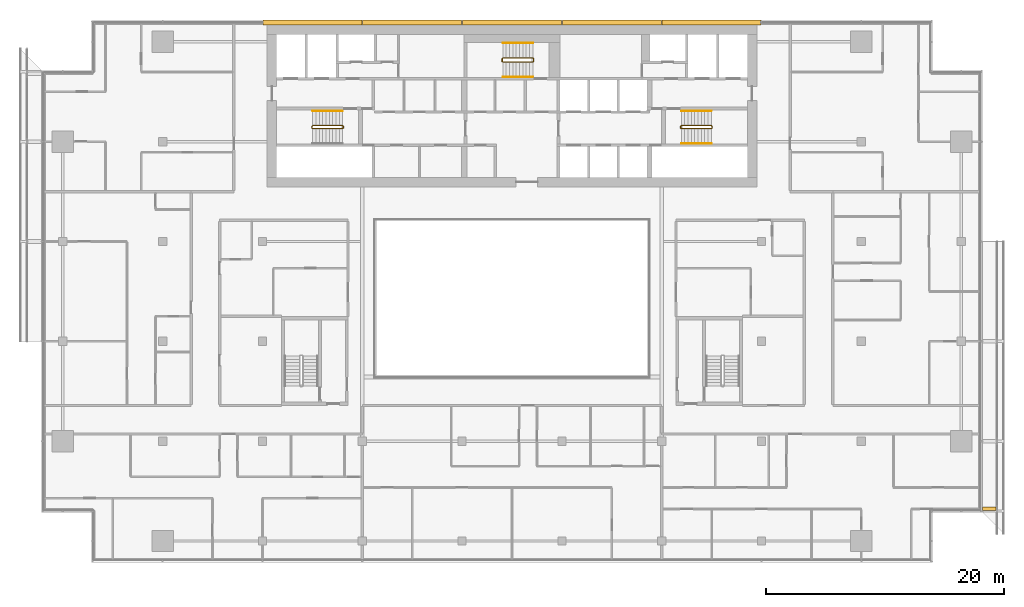
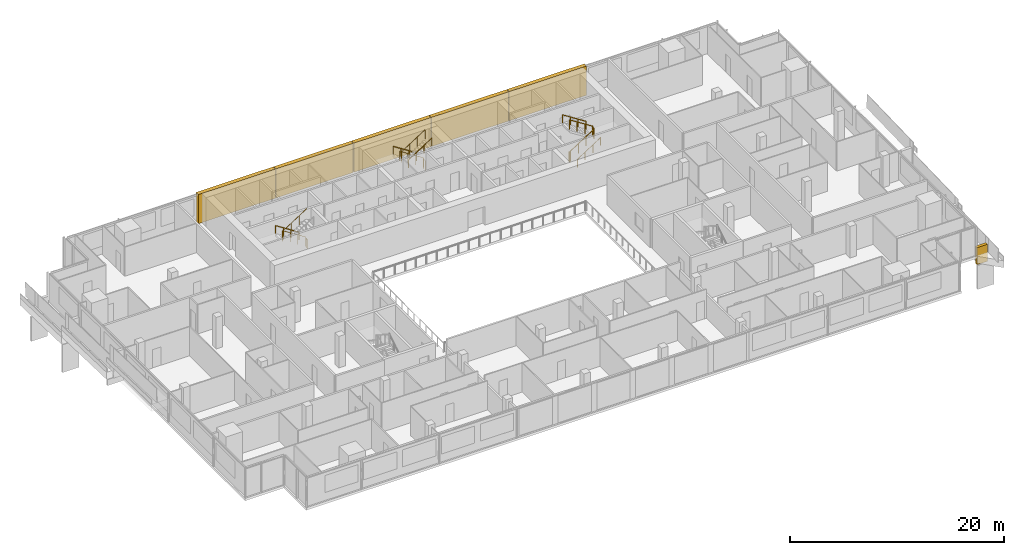
# One storey, part 26 of 27: 8 railings, 6 coverings.
"""IFC4 building model written with IfcOpenShell, lengths in metres."""

from ifc_helpers import new_model, si_unit, direction, frame, origin, origin_2d, place, context, subcontext, project, spatial, polyline, rectangle, circle, outline, extrude, material, layer, layer_set, type_object, element, save


model = new_model("IFC4")

# Units and contexts
model_context = context("Model", 3, precision=1e-05, world=origin(), true_north=direction((0.0, 1.0)))
body_context = subcontext(model_context, "Body", "Model", "MODEL_VIEW")
ifc_project = project(units=[si_unit("LENGTHUNIT", "METRE"), si_unit("AREAUNIT", "SQUARE_METRE"), si_unit("VOLUMEUNIT", "CUBIC_METRE"), si_unit("PLANEANGLEUNIT", "RADIAN"), si_unit("MASSUNIT", "GRAM", prefix="KILO")], contexts=[model_context])

# Site, building, storey
site_placement = place(None, origin())
site = spatial("IfcSite", under=ifc_project, at=site_placement, CompositionType="ELEMENT")
building_placement = place(site_placement, origin())
building = spatial("IfcBuilding", under=site, at=building_placement, Name="Saffron Gate Tower", CompositionType="ELEMENT")
storey_placement = place(building_placement, frame((0.0, 0.0, 183.449951171875)))
storey = spatial("IfcBuildingStorey", under=building, at=storey_placement, Name="L45", CompositionType="ELEMENT", Elevation=183.449951171875)

# Coverings
ifc_material_1 = material(Name="Ceramic-printed bronze insulated panel")
ifc_layer_1 = layer(ifc_material_1, 0.43994140625)
ifc_layer_set_1 = layer_set([ifc_layer_1], Name="CLD3 ceramic-printed cladding panel 440")
covering_type_1 = type_object("IfcCoveringType", Name="CLD3 ceramic-printed cladding panel 440", PredefinedType="CLADDING", material=ifc_layer_set_1)
covering_1_placement = place(storey_placement, origin())
element("IfcCovering", 1, at=covering_1_placement, inside=storey, type_object=covering_type_1, Name="CLADDING ceramic-printed panel", PredefinedType="CLADDING", context=body_context, shape_type="SweptSolid", body=[
    extrude(outline(polyline([(108.56494140625, 75.639892578125), (100.235107421875, 75.639892578125), (100.235107421875, 75.199951171875), (108.56494140625, 75.199951171875), (108.56494140625, 75.639892578125)])), origin(), (0.0, 0.0, 1.0), 3.320068359375),
])
covering_2_placement = place(storey_placement, origin())
element("IfcCovering", 2, at=covering_2_placement, inside=storey, type_object=covering_type_1, Name="CLADDING ceramic-printed panel", PredefinedType="CLADDING", context=body_context, shape_type="SweptSolid", body=[
    extrude(outline(polyline([(100.1650390625, 75.639892578125), (91.8349609375, 75.639892578125), (91.8349609375, 75.199951171875), (100.1650390625, 75.199951171875), (100.1650390625, 75.639892578125)])), origin(), (0.0, 0.0, 1.0), 3.320068359375),
])
covering_3_placement = place(storey_placement, origin())
element("IfcCovering", 3, at=covering_3_placement, inside=storey, type_object=covering_type_1, Name="CLADDING ceramic-printed panel", PredefinedType="CLADDING", context=body_context, shape_type="SweptSolid", body=[
    extrude(outline(polyline([(91.764892578125, 75.639892578125), (83.43505859375, 75.639892578125), (83.43505859375, 75.199951171875), (91.764892578125, 75.199951171875), (91.764892578125, 75.639892578125)])), origin(), (0.0, 0.0, 1.0), 3.320068359375),
])
covering_4_placement = place(storey_placement, origin())
element("IfcCovering", 4, at=covering_4_placement, inside=storey, type_object=covering_type_1, Name="CLADDING ceramic-printed panel", PredefinedType="CLADDING", context=body_context, shape_type="SweptSolid", body=[
    extrude(outline(polyline([(83.364990234375, 75.639892578125), (75.034912109375, 75.639892578125), (75.034912109375, 75.199951171875), (83.364990234375, 75.199951171875), (83.364990234375, 75.639892578125)])), origin(), (0.0, 0.0, 1.0), 3.320068359375),
])
covering_5_placement = place(storey_placement, origin())
element("IfcCovering", 5, at=covering_5_placement, inside=storey, type_object=covering_type_1, Name="CLADDING ceramic-printed panel", PredefinedType="CLADDING", context=body_context, shape_type="SweptSolid", body=[
    extrude(outline(polyline([(74.965087890625, 75.639892578125), (66.635009765625, 75.639892578125), (66.635009765625, 75.199951171875), (74.965087890625, 75.199951171875), (74.965087890625, 75.639892578125)])), origin(), (0.0, 0.0, 1.0), 3.320068359375),
])

# Railings
ifc_material_2 = material(Name="Stainless steel and laminated glass", Category="steel")
railing_type_1 = type_object("IfcRailingType", Name="CR1 Stair guard 1100", PredefinedType="GUARDRAIL", material=ifc_material_2)
railing_1_placement = place(storey_placement, frame((73.39990234375, 66.550048828125, 0.0)))
element("IfcRailing", 6, at=railing_1_placement, inside=storey, type_object=railing_type_1, Name="L45 ST-A stair guard 1", PredefinedType="GUARDRAIL", context=body_context, shape_type="SweptSolid", body=[
    extrude(circle(Radius=0.02392578125, at=origin_2d()), frame((0.0, 0.0, 1.076171875), z_axis=(0.0, 1.0, 0.0), x_axis=(-1.0, 0.0, 0.0)), (0.0, 0.0, 1.0), 0.14990234375),
    extrude(circle(Radius=0.02392578125, at=origin_2d()), frame((0.0, 0.14990234375, 1.076171875), z_axis=(-0.257669022063, 0.258932105505, 0.930892496375), x_axis=(-0.708833529934, -0.705375805398, 0.0)), (0.0, 0.0, 1.0), 0.193359375),
    extrude(circle(Radius=0.02392578125, at=origin_2d()), frame((-0.0498046875, 0.199951171875, 1.255859375), z_axis=(-0.841162588446, 0.0, 0.540782303519), x_axis=(0.0, -1.0, 0.0)), (0.0, 0.0, 1.0), 2.995849609375),
    extrude(circle(Radius=0.02392578125, at=origin_2d()), frame((-2.56982421875, 0.199951171875, 2.8759765625), z_axis=(-0.707106781187, -0.707106781187, 0.0), x_axis=(0.707106781187, -0.707106781187, 0.0)), (0.0, 0.0, 1.0), 0.07080078125),
    extrude(circle(Radius=0.02392578125, at=origin_2d()), frame((-2.619873046875, 0.14990234375, 2.8759765625), z_axis=(0.0, -1.0, 0.0), x_axis=(1.0, 0.0, 0.0)), (0.0, 0.0, 1.0), 0.14990234375),
    extrude(circle(Radius=0.02392578125, at=origin_2d()), frame((-2.619873046875, 0.0, 2.8759765625), z_axis=(0.258847668887, -0.258847668887, 0.930588936439), x_axis=(0.707106781187, 0.707106781187, 0.0)), (0.0, 0.0, 1.0), 0.193359375),
    extrude(circle(Radius=0.02392578125, at=origin_2d()), frame((-2.56982421875, -0.050048828125, 3.05615234375), z_axis=(0.841162588446, 0.0, 0.540782303519), x_axis=(0.0, 1.0, 0.0)), (0.0, 0.0, 1.0), 2.995849609375),
    extrude(circle(Radius=0.02099609375, at=origin_2d()), origin(), (0.0, 0.0, 1.0), 1.052001953125),
    extrude(circle(Radius=0.02099609375, at=origin_2d()), frame((0.0, 0.14990234375, 0.0)), (0.0, 0.0, 1.0), 1.052001953125),
    extrude(circle(Radius=0.02099609375, at=origin_2d()), frame((-0.0498046875, 0.199951171875, 0.179931640625)), (0.0, 0.0, 1.0), 1.052001953125),
    extrude(circle(Radius=0.02099609375, at=origin_2d()), frame((-0.889892578125, 0.199951171875, 0.719970703125)), (0.0, 0.0, 1.0), 1.052001953125),
    extrude(circle(Radius=0.02099609375, at=origin_2d()), frame((-1.729736328125, 0.199951171875, 1.260009765625)), (0.0, 0.0, 1.0), 1.052001953125),
    extrude(circle(Radius=0.02099609375, at=origin_2d()), frame((-2.56982421875, 0.199951171875, 1.800048828125)), (0.0, 0.0, 1.0), 1.052001953125),
    extrude(circle(Radius=0.02099609375, at=origin_2d()), frame((-2.619873046875, 0.14990234375, 1.800048828125)), (0.0, 0.0, 1.0), 1.052001953125),
    extrude(circle(Radius=0.02099609375, at=origin_2d()), frame((-2.619873046875, 0.0, 1.800048828125)), (0.0, 0.0, 1.0), 1.052001953125),
    extrude(circle(Radius=0.02099609375, at=origin_2d()), frame((-2.56982421875, -0.050048828125, 1.97998046875)), (0.0, 0.0, 1.0), 1.052001953125),
    extrude(circle(Radius=0.02099609375, at=origin_2d()), frame((-1.729736328125, -0.050048828125, 2.52001953125)), (0.0, 0.0, 1.0), 1.052001953125),
    extrude(circle(Radius=0.02099609375, at=origin_2d()), frame((-0.889892578125, -0.050048828125, 3.06005859375)), (0.0, 0.0, 1.0), 1.052001953125),
    extrude(circle(Radius=0.02099609375, at=origin_2d()), frame((-0.0498046875, -0.050048828125, 3.60009765625)), (0.0, 0.0, 1.0), 1.052001953125),
])
railing_2_placement = place(storey_placement, frame((101.800048828125, 66.699951171875, 0.0)))
element("IfcRailing", 7, at=railing_2_placement, inside=storey, type_object=railing_type_1, Name="L45 ST-B stair guard 1", PredefinedType="GUARDRAIL", context=body_context, shape_type="SweptSolid", body=[
    extrude(circle(Radius=0.02392578125, at=origin_2d()), frame((0.0, 0.0, 1.076171875), z_axis=(0.0, -1.0, 0.0), x_axis=(1.0, 0.0, 0.0)), (0.0, 0.0, 1.0), 0.14990234375),
    extrude(circle(Radius=0.02392578125, at=origin_2d()), frame((0.0, -0.14990234375, 1.076171875), z_axis=(0.258847668887, -0.258847668887, 0.930588936439), x_axis=(0.707106781187, 0.707106781187, 0.0)), (0.0, 0.0, 1.0), 0.193359375),
    extrude(circle(Radius=0.02392578125, at=origin_2d()), frame((0.050048828125, -0.199951171875, 1.255859375), z_axis=(0.841162588446, 0.0, 0.540782303519), x_axis=(0.0, 1.0, 0.0)), (0.0, 0.0, 1.0), 2.995849609375),
    extrude(circle(Radius=0.02392578125, at=origin_2d()), frame((2.570068359375, -0.199951171875, 2.8759765625), z_axis=(0.705375805398, 0.708833529934, 0.0), x_axis=(-0.708833529934, 0.705375805398, 0.0)), (0.0, 0.0, 1.0), 0.070556640625),
    extrude(circle(Radius=0.02392578125, at=origin_2d()), frame((2.619873046875, -0.14990234375, 2.8759765625), z_axis=(0.0, 1.0, 0.0), x_axis=(-1.0, 0.0, 0.0)), (0.0, 0.0, 1.0), 0.14990234375),
    extrude(circle(Radius=0.02392578125, at=origin_2d()), frame((2.619873046875, 0.0, 2.8759765625), z_axis=(-0.257669022063, 0.258932105505, 0.930892496375), x_axis=(-0.708833529934, -0.705375805398, 0.0)), (0.0, 0.0, 1.0), 0.193359375),
    extrude(circle(Radius=0.02392578125, at=origin_2d()), frame((2.570068359375, 0.050048828125, 3.05615234375), z_axis=(-0.841162588446, 0.0, 0.540782303519), x_axis=(0.0, -1.0, 0.0)), (0.0, 0.0, 1.0), 2.995849609375),
    extrude(circle(Radius=0.02099609375, at=origin_2d()), origin(), (0.0, 0.0, 1.0), 1.052001953125),
    extrude(circle(Radius=0.02099609375, at=origin_2d()), frame((0.0, -0.14990234375, 0.0)), (0.0, 0.0, 1.0), 1.052001953125),
    extrude(circle(Radius=0.02099609375, at=origin_2d()), frame((0.050048828125, -0.199951171875, 0.179931640625)), (0.0, 0.0, 1.0), 1.052001953125),
    extrude(circle(Radius=0.02099609375, at=origin_2d()), frame((0.89013671875, -0.199951171875, 0.719970703125)), (0.0, 0.0, 1.0), 1.052001953125),
    extrude(circle(Radius=0.02099609375, at=origin_2d()), frame((1.72998046875, -0.199951171875, 1.260009765625)), (0.0, 0.0, 1.0), 1.052001953125),
    extrude(circle(Radius=0.02099609375, at=origin_2d()), frame((2.570068359375, -0.199951171875, 1.800048828125)), (0.0, 0.0, 1.0), 1.052001953125),
    extrude(circle(Radius=0.02099609375, at=origin_2d()), frame((2.619873046875, -0.14990234375, 1.800048828125)), (0.0, 0.0, 1.0), 1.052001953125),
    extrude(circle(Radius=0.02099609375, at=origin_2d()), frame((2.619873046875, 0.0, 1.800048828125)), (0.0, 0.0, 1.0), 1.052001953125),
    extrude(circle(Radius=0.02099609375, at=origin_2d()), frame((2.570068359375, 0.050048828125, 1.97998046875)), (0.0, 0.0, 1.0), 1.052001953125),
    extrude(circle(Radius=0.02099609375, at=origin_2d()), frame((1.72998046875, 0.050048828125, 2.52001953125)), (0.0, 0.0, 1.0), 1.052001953125),
    extrude(circle(Radius=0.02099609375, at=origin_2d()), frame((0.89013671875, 0.050048828125, 3.06005859375)), (0.0, 0.0, 1.0), 1.052001953125),
    extrude(circle(Radius=0.02099609375, at=origin_2d()), frame((0.050048828125, 0.050048828125, 3.60009765625)), (0.0, 0.0, 1.0), 1.052001953125),
])
railing_3_placement = place(storey_placement, frame((89.39990234375, 72.14990234375, 0.0)))
element("IfcRailing", 8, at=railing_3_placement, inside=storey, type_object=railing_type_1, Name="L45 ST-C stair guard 1", PredefinedType="GUARDRAIL", context=body_context, shape_type="SweptSolid", body=[
    extrude(circle(Radius=0.02392578125, at=origin_2d()), frame((0.0, 0.0, 1.076171875), z_axis=(0.0, 1.0, 0.0), x_axis=(-1.0, 0.0, 0.0)), (0.0, 0.0, 1.0), 0.25),
    extrude(circle(Radius=0.02392578125, at=origin_2d()), frame((0.0, 0.25, 1.076171875), z_axis=(-0.257669022063, 0.258932105505, 0.930892496375), x_axis=(-0.708833529934, -0.705375805398, 0.0)), (0.0, 0.0, 1.0), 0.193359375),
    extrude(circle(Radius=0.02392578125, at=origin_2d()), frame((-0.0498046875, 0.300048828125, 1.255859375), z_axis=(-0.841162588446, 0.0, 0.540782303519), x_axis=(0.0, -1.0, 0.0)), (0.0, 0.0, 1.0), 2.995849609375),
    extrude(circle(Radius=0.02392578125, at=origin_2d()), frame((-2.56982421875, 0.300048828125, 2.8759765625), z_axis=(-0.707106781187, -0.707106781187, 0.0), x_axis=(0.707106781187, -0.707106781187, 0.0)), (0.0, 0.0, 1.0), 0.07080078125),
    extrude(circle(Radius=0.02392578125, at=origin_2d()), frame((-2.619873046875, 0.25, 2.8759765625), z_axis=(0.0, -1.0, 0.0), x_axis=(1.0, 0.0, 0.0)), (0.0, 0.0, 1.0), 0.25),
    extrude(circle(Radius=0.02392578125, at=origin_2d()), frame((-2.619873046875, 0.0, 2.8759765625), z_axis=(0.258932105505, -0.257669022063, 0.930892496375), x_axis=(0.705375805398, 0.708833529934, 0.0)), (0.0, 0.0, 1.0), 0.193359375),
    extrude(circle(Radius=0.02392578125, at=origin_2d()), frame((-2.56982421875, -0.0498046875, 3.05615234375), z_axis=(0.841162588446, 0.0, 0.540782303519), x_axis=(0.0, 1.0, 0.0)), (0.0, 0.0, 1.0), 2.995849609375),
    extrude(circle(Radius=0.02099609375, at=origin_2d()), origin(), (0.0, 0.0, 1.0), 1.052001953125),
    extrude(circle(Radius=0.02099609375, at=origin_2d()), frame((0.0, 0.25, 0.0)), (0.0, 0.0, 1.0), 1.052001953125),
    extrude(circle(Radius=0.02099609375, at=origin_2d()), frame((-0.0498046875, 0.300048828125, 0.179931640625)), (0.0, 0.0, 1.0), 1.052001953125),
    extrude(circle(Radius=0.02099609375, at=origin_2d()), frame((-0.889892578125, 0.300048828125, 0.719970703125)), (0.0, 0.0, 1.0), 1.052001953125),
    extrude(circle(Radius=0.02099609375, at=origin_2d()), frame((-1.729736328125, 0.300048828125, 1.260009765625)), (0.0, 0.0, 1.0), 1.052001953125),
    extrude(circle(Radius=0.02099609375, at=origin_2d()), frame((-2.56982421875, 0.300048828125, 1.800048828125)), (0.0, 0.0, 1.0), 1.052001953125),
    extrude(circle(Radius=0.02099609375, at=origin_2d()), frame((-2.619873046875, 0.25, 1.800048828125)), (0.0, 0.0, 1.0), 1.052001953125),
    extrude(circle(Radius=0.02099609375, at=origin_2d()), frame((-2.619873046875, 0.0, 1.800048828125)), (0.0, 0.0, 1.0), 1.052001953125),
    extrude(circle(Radius=0.02099609375, at=origin_2d()), frame((-2.56982421875, -0.0498046875, 1.97998046875)), (0.0, 0.0, 1.0), 1.052001953125),
    extrude(circle(Radius=0.02099609375, at=origin_2d()), frame((-1.729736328125, -0.0498046875, 2.52001953125)), (0.0, 0.0, 1.0), 1.052001953125),
    extrude(circle(Radius=0.02099609375, at=origin_2d()), frame((-0.889892578125, -0.0498046875, 3.06005859375)), (0.0, 0.0, 1.0), 1.052001953125),
    extrude(circle(Radius=0.02099609375, at=origin_2d()), frame((-0.0498046875, -0.0498046875, 3.60009765625)), (0.0, 0.0, 1.0), 1.052001953125),
])
ifc_material_3 = material(Name="Stainless steel", Category="steel")
railing_type_2 = type_object("IfcRailingType", Name="CR2 Stair handrail 900", PredefinedType="HANDRAIL", material=ifc_material_3)
railing_4_placement = place(storey_placement, frame((73.35009765625, 68.0, 0.179931640625)))
element("IfcRailing", 9, at=railing_4_placement, inside=storey, type_object=railing_type_2, Name="L45 ST-A stair handrail 1", PredefinedType="HANDRAIL", context=body_context, shape_type="SweptSolid", body=[
    extrude(circle(Radius=0.02392578125, at=origin_2d()), frame((0.0, 0.0, 0.8759765625), z_axis=(-0.841162588446, 0.0, 0.540782303519), x_axis=(0.0, -1.0, 0.0)), (0.0, 0.0, 1.0), 2.995849609375),
    extrude(circle(Radius=0.02099609375, at=origin_2d()), origin(), (0.0, 0.0, 1.0), 0.851806640625),
    extrude(circle(Radius=0.02099609375, at=origin_2d()), frame((-0.840087890625, 0.0, 0.5400390625)), (0.0, 0.0, 1.0), 0.851806640625),
    extrude(circle(Radius=0.02099609375, at=origin_2d()), frame((-1.679931640625, 0.0, 1.080078125)), (0.0, 0.0, 1.0), 0.851806640625),
    extrude(circle(Radius=0.02099609375, at=origin_2d()), frame((-2.52001953125, 0.0, 1.6201171875)), (0.0, 0.0, 1.0), 0.851806640625),
])
railing_5_placement = place(storey_placement, frame((101.85009765625, 65.25, 0.179931640625)))
element("IfcRailing", 10, at=railing_5_placement, inside=storey, type_object=railing_type_2, Name="L45 ST-B stair handrail 1", PredefinedType="HANDRAIL", context=body_context, shape_type="SweptSolid", body=[
    extrude(circle(Radius=0.02392578125, at=origin_2d()), frame((0.0, 0.0, 0.8759765625), z_axis=(0.841162588446, 0.0, 0.540782303519), x_axis=(0.0, 1.0, 0.0)), (0.0, 0.0, 1.0), 2.995849609375),
    extrude(circle(Radius=0.02099609375, at=origin_2d()), origin(), (0.0, 0.0, 1.0), 0.851806640625),
    extrude(circle(Radius=0.02099609375, at=origin_2d()), frame((0.840087890625, 0.0, 0.5400390625)), (0.0, 0.0, 1.0), 0.851806640625),
    extrude(circle(Radius=0.02099609375, at=origin_2d()), frame((1.679931640625, 0.0, 1.080078125)), (0.0, 0.0, 1.0), 0.851806640625),
    extrude(circle(Radius=0.02099609375, at=origin_2d()), frame((2.52001953125, 0.0, 1.6201171875)), (0.0, 0.0, 1.0), 0.851806640625),
])
for number, where, name in (
    (11, (104.3701171875, 68.0, 1.97998046875), "L45 ST-B stair handrail 2"),
    (12, (89.35009765625, 73.699951171875, 0.179931640625), "L45 ST-C stair handrail 1"),
):
    element("IfcRailing", number, at=place(storey_placement, frame(where)), inside=storey, type_object=railing_type_2, Name=name, PredefinedType="HANDRAIL", context=body_context, shape_type="SweptSolid", body=[
        extrude(circle(Radius=0.02392578125, at=origin_2d()), frame((0.0, 0.0, 0.8759765625), z_axis=(-0.841162588446, 0.0, 0.540782303519), x_axis=(0.0, -1.0, 0.0)), (0.0, 0.0, 1.0), 2.995849609375),
        extrude(circle(Radius=0.02099609375, at=origin_2d()), origin(), (0.0, 0.0, 1.0), 0.851806640625),
        extrude(circle(Radius=0.02099609375, at=origin_2d()), frame((-0.840087890625, 0.0, 0.5400390625)), (0.0, 0.0, 1.0), 0.851806640625),
        extrude(circle(Radius=0.02099609375, at=origin_2d()), frame((-1.679931640625, 0.0, 1.080078125)), (0.0, 0.0, 1.0), 0.851806640625),
        extrude(circle(Radius=0.02099609375, at=origin_2d()), frame((-2.52001953125, 0.0, 1.6201171875)), (0.0, 0.0, 1.0), 0.851806640625),
    ])
railing_6_placement = place(storey_placement, frame((86.830078125, 70.85009765625, 1.97998046875)))
element("IfcRailing", 13, at=railing_6_placement, inside=storey, type_object=railing_type_2, Name="L45 ST-C stair handrail 2", PredefinedType="HANDRAIL", context=body_context, shape_type="SweptSolid", body=[
    extrude(circle(Radius=0.02392578125, at=origin_2d()), frame((0.0, 0.0, 0.8759765625), z_axis=(0.841162588446, 0.0, 0.540782303519), x_axis=(0.0, 1.0, 0.0)), (0.0, 0.0, 1.0), 2.995849609375),
    extrude(circle(Radius=0.02099609375, at=origin_2d()), origin(), (0.0, 0.0, 1.0), 0.851806640625),
    extrude(circle(Radius=0.02099609375, at=origin_2d()), frame((0.840087890625, 0.0, 0.5400390625)), (0.0, 0.0, 1.0), 0.851806640625),
    extrude(circle(Radius=0.02099609375, at=origin_2d()), frame((1.679931640625, 0.0, 1.080078125)), (0.0, 0.0, 1.0), 0.851806640625),
    extrude(circle(Radius=0.02099609375, at=origin_2d()), frame((2.52001953125, 0.0, 1.6201171875)), (0.0, 0.0, 1.0), 0.851806640625),
])

# Covering
ifc_material_4 = material(Name="Timber, thermally modified ash", Category="wood")
ifc_layer_2 = layer(ifc_material_4, 0.300048828125)
ifc_layer_set_2 = layer_set([ifc_layer_2], Name="LD3 ledge riser fin")
covering_type_2 = type_object("IfcCoveringType", Name="LD3 ledge riser fin", PredefinedType="CLADDING", material=ifc_layer_set_2)
covering_6_placement = place(storey_placement, frame((127.760009765625, 34.5, -1.12890625), z_axis=(0.0, 0.0, 1.0), x_axis=(0.0, 1.0, 0.0)))
element("IfcCovering", 14, at=covering_6_placement, inside=storey, type_object=covering_type_2, Name="LEDGE riser fin", PredefinedType="CLADDING", context=body_context, shape_type="SweptSolid", body=[
    extrude(rectangle(XDim=0.300048828125, YDim=1.1201171875, at=origin_2d()), origin(), (0.0, 0.0, 1.0), 1.957275390625),
])

save(model, "model.ifc")
